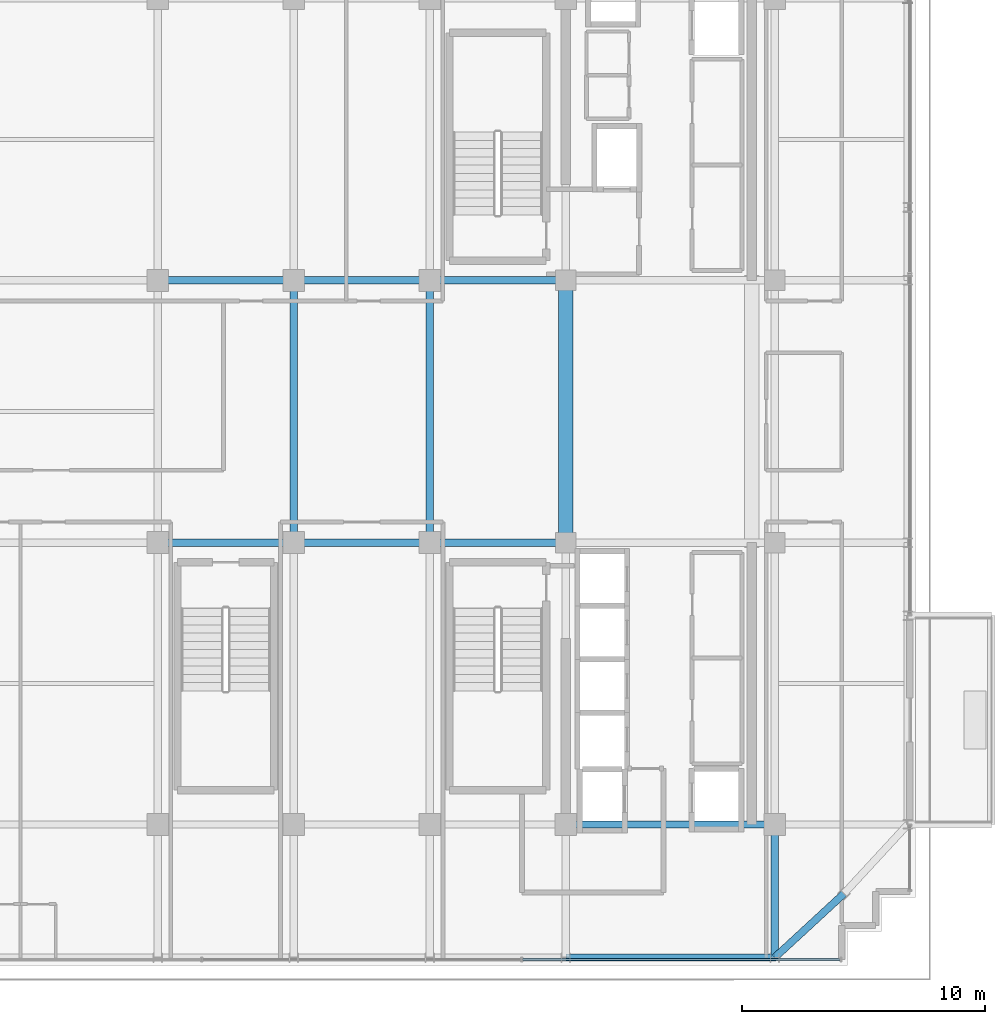
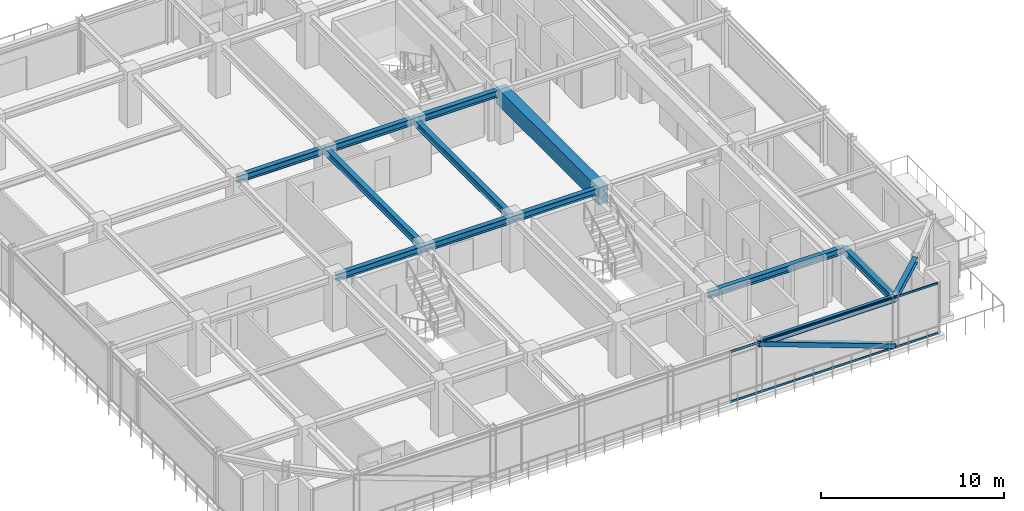
# One storey, part 11 of 32: 13 beams, 3 members, 1 element without a shape of its own.
"""IFC4 building model written with IfcOpenShell, lengths in metres."""

from ifc_helpers import new_model, si_unit, direction, frame, origin, origin_2d, place, context, subcontext, project, spatial, rectangle, hollow_rectangle, i_section, extrude, source, transform, mapped, material, material_profile, profile_set, type_object, element, aggregate, save


model = new_model("IFC4")

# Units and contexts
model_context = context("Model", 3, precision=1e-05, world=origin(), true_north=direction((0.0, 1.0)))
body_context = subcontext(model_context, "Body", "Model", "MODEL_VIEW")
ifc_project = project(units=[si_unit("LENGTHUNIT", "METRE"), si_unit("AREAUNIT", "SQUARE_METRE"), si_unit("VOLUMEUNIT", "CUBIC_METRE"), si_unit("PLANEANGLEUNIT", "RADIAN"), si_unit("MASSUNIT", "GRAM", prefix="KILO")], contexts=[model_context])

# Site, building, storey
site_placement = place(None, origin())
site = spatial("IfcSite", under=ifc_project, at=site_placement, CompositionType="ELEMENT")
building_placement = place(site_placement, origin())
building = spatial("IfcBuilding", under=site, at=building_placement, Name="Nahalor Promenade Grand Hotel", CompositionType="ELEMENT")
storey_placement = place(building_placement, frame((0.0, 0.0, 266.300048828125)))
storey = spatial("IfcBuildingStorey", under=building, at=storey_placement, Name="L68", CompositionType="ELEMENT", Elevation=266.300048828125)

# Beams
ifc_material_1 = material(Name="Concrete B-60 (C50/60)", Category="concrete")
ifc_material_profile_1 = material_profile(ifc_material_1, rectangle(XDim=0.6, YDim=1.1, at=origin_2d()), Name="RC 600x1100")
ifc_profile_set_1 = profile_set([ifc_material_profile_1], Name="Concrete B-60 (C50/60)")
beam_type_1 = type_object("IfcBeamType", Name="Beam-Lintel-RC1100", PredefinedType="LINTEL", material=ifc_profile_set_1)
shared_shape_1 = source(origin(), body_context, "Body", "SweptSolid", [
    extrude(rectangle(XDim=0.6, YDim=1.1, at=origin_2d()), origin(), (0.0, 0.0, 1.0), 11.2001953125),
])
beam_1_placement = place(storey_placement, frame((8.39990234375, -5.60009765625, 2.89990234375), z_axis=(0.0, 1.0, 0.0), x_axis=(-1.0, 0.0, 0.0)))
element("IfcBeam", 1, at=beam_1_placement, inside=storey, type_object=beam_type_1, Name="BM-L68-LINT-W", PredefinedType="LINTEL", context=body_context, shape_type="MappedRepresentation", body=[
    mapped(shared_shape_1, transform((0.0, 0.0, 0.0), scale=1.0)),
])
ifc_material_2 = material(Name="Steel S355JR", Category="steel")
ifc_material_profile_2 = material_profile(ifc_material_2, i_section(OverallWidth=0.3, OverallDepth=0.45, WebThickness=0.014, FlangeThickness=0.026, at=origin_2d()), Name="HEB 450")
ifc_profile_set_2 = profile_set([ifc_material_profile_2], Name="Steel S355JR")
beam_type_2 = type_object("IfcBeamType", Name="Beam-Girder-HEB450", PredefinedType="BEAM", material=ifc_profile_set_2)
shared_shape_2 = source(origin(), body_context, "Body", "SweptSolid", [
    extrude(i_section(OverallWidth=0.3, OverallDepth=0.45, WebThickness=0.014, FlangeThickness=0.026, at=origin_2d()), origin(), (0.0, 0.0, 1.0), 8.60009765625),
])
beam_2_placement = place(storey_placement, frame((8.39990234375, -17.0, 3.224853515625), z_axis=(1.0, 0.0, 0.0), x_axis=(0.0, 1.0, 0.0)))
element("IfcBeam", 2, at=beam_2_placement, inside=storey, type_object=beam_type_2, Name="BM-L68-GX-0-5", PredefinedType="BEAM", context=body_context, shape_type="MappedRepresentation", body=[
    mapped(shared_shape_2, transform((0.0, 0.0, 0.0), scale=1.0)),
])
shared_shape_3 = source(origin(), body_context, "Body", "SweptSolid", [
    extrude(i_section(OverallWidth=0.3, OverallDepth=0.45, WebThickness=0.014, FlangeThickness=0.026, at=origin_2d()), origin(), (0.0, 0.0, 1.0), 5.599853515625),
])
for number, where, z_axis, x_axis, name in (
    (3, (-8.39990234375, -5.39990234375, 3.224853515625), (1.0, 0.0, 0.0), (0.0, 1.0, 0.0), "BM-L68-GX-1-2"),
    (4, (2.800048828125, -5.39990234375, 3.224853515625), (1.0, 0.0, 0.0), (0.0, 1.0, 0.0), "BM-L68-GX-1-4"),
    (5, (-8.39990234375, 5.39990234375, 3.224853515625), (1.0, 0.0, 0.0), (0.0, 1.0, 0.0), "BM-L68-GX-2-2"),
    (6, (2.800048828125, 5.39990234375, 3.224853515625), (1.0, 0.0, 0.0), (0.0, 1.0, 0.0), "BM-L68-GX-2-4"),
):
    element("IfcBeam", number, at=place(storey_placement, frame(where, z_axis=z_axis, x_axis=x_axis)), inside=storey, type_object=beam_type_2, Name=name, PredefinedType="BEAM", context=body_context, shape_type="MappedRepresentation", body=[
        mapped(shared_shape_3, transform((0.0, 0.0, 0.0), scale=1.0)),
    ])
shared_shape_4 = source(origin(), body_context, "Body", "SweptSolid", [
    extrude(i_section(OverallWidth=0.3, OverallDepth=0.45, WebThickness=0.014, FlangeThickness=0.026, at=origin_2d()), origin(), (0.0, 0.0, 1.0), 5.60009765625),
])
for number, where, z_axis, x_axis, name in (
    (7, (-2.800048828125, -5.39990234375, 3.224853515625), (1.0, 0.0, 0.0), (0.0, 1.0, 0.0), "BM-L68-GX-1-3"),
    (8, (-2.800048828125, 5.39990234375, 3.224853515625), (1.0, 0.0, 0.0), (0.0, 1.0, 0.0), "BM-L68-GX-2-3"),
):
    element("IfcBeam", number, at=place(storey_placement, frame(where, z_axis=z_axis, x_axis=x_axis)), inside=storey, type_object=beam_type_2, Name=name, PredefinedType="BEAM", context=body_context, shape_type="MappedRepresentation", body=[
        mapped(shared_shape_4, transform((0.0, 0.0, 0.0), scale=1.0)),
    ])
shared_shape_5 = source(origin(), body_context, "Body", "SweptSolid", [
    extrude(i_section(OverallWidth=0.3, OverallDepth=0.45, WebThickness=0.014, FlangeThickness=0.026, at=origin_2d()), origin(), (0.0, 0.0, 1.0), 10.7998046875),
])
for number, where, z_axis, x_axis, name in (
    (9, (-2.800048828125, -5.39990234375, 3.224853515625), (0.0, 1.0, 0.0), (-1.0, 0.0, 0.0), "BM-L68-GY-2-2"),
    (10, (2.800048828125, -5.39990234375, 3.224853515625), (0.0, 1.0, 0.0), (-1.0, 0.0, 0.0), "BM-L68-GY-3-2"),
):
    element("IfcBeam", number, at=place(storey_placement, frame(where, z_axis=z_axis, x_axis=x_axis)), inside=storey, type_object=beam_type_2, Name=name, PredefinedType="BEAM", context=body_context, shape_type="MappedRepresentation", body=[
        mapped(shared_shape_5, transform((0.0, 0.0, 0.0), scale=1.0)),
    ])
shared_shape_6 = source(origin(), body_context, "Body", "SweptSolid", [
    extrude(i_section(OverallWidth=0.3, OverallDepth=0.45, WebThickness=0.014, FlangeThickness=0.026, at=origin_2d()), origin(), (0.0, 0.0, 1.0), 5.47998046875),
])
beam_3_placement = place(storey_placement, frame((17.0, -22.47998046875, 3.224853515625), z_axis=(0.0, 1.0, 0.0), x_axis=(-1.0, 0.0, 0.0)))
element("IfcBeam", 11, at=beam_3_placement, inside=storey, type_object=beam_type_2, Name="BM-L68-GY-5-0", PredefinedType="BEAM", context=body_context, shape_type="MappedRepresentation", body=[
    mapped(shared_shape_6, transform((0.0, 0.0, 0.0), scale=1.0)),
])
ifc_material_profile_3 = material_profile(ifc_material_2, i_section(OverallWidth=0.3, OverallDepth=0.36, WebThickness=0.0125, FlangeThickness=0.0225, at=origin_2d()), Name="HEB 360")
ifc_profile_set_3 = profile_set([ifc_material_profile_3], Name="Steel S355JR")
beam_type_3 = type_object("IfcBeamType", Name="Beam-Spandrel-HEB360", PredefinedType="SPANDREL", material=ifc_profile_set_3)
shared_shape_7 = source(origin(), body_context, "Body", "SweptSolid", [
    extrude(i_section(OverallWidth=0.3, OverallDepth=0.36, WebThickness=0.0125, FlangeThickness=0.0225, at=origin_2d()), origin(), (0.0, 0.0, 1.0), 8.60009765625),
])
beam_4_placement = place(storey_placement, frame((8.39990234375, -22.47998046875, 3.27001953125), z_axis=(1.0, 0.0, 0.0), x_axis=(0.0, 1.0, 0.0)))
element("IfcBeam", 12, at=beam_4_placement, inside=storey, type_object=beam_type_3, Name="BM-L68-SP-S-4", PredefinedType="SPANDREL", context=body_context, shape_type="MappedRepresentation", body=[
    mapped(shared_shape_7, transform((0.0, 0.0, 0.0), scale=1.0)),
])
shared_shape_8 = source(origin(), body_context, "Body", "SweptSolid", [
    extrude(i_section(OverallWidth=0.3, OverallDepth=0.36, WebThickness=0.0125, FlangeThickness=0.0225, at=origin_2d()), origin(), (0.0, 0.0, 1.0), 3.878173828125),
])
beam_5_placement = place(storey_placement, frame((17.0, -22.47998046875, 3.27001953125), z_axis=(0.73492893846, 0.678144125843, 0.0), x_axis=(-0.678144125843, 0.73492893846, 0.0)))
element("IfcBeam", 13, at=beam_5_placement, inside=storey, type_object=beam_type_3, Name="BM-L68-SPC-SE-1", PredefinedType="SPANDREL", context=body_context, shape_type="MappedRepresentation", body=[
    mapped(shared_shape_8, transform((0.0, 0.0, 0.0), scale=1.0)),
])

# Member
ifc_material_profile_4 = material_profile(ifc_material_2, hollow_rectangle(XDim=0.3, YDim=0.3, WallThickness=0.016, at=origin_2d()), Name="SHS 300x300x16")
ifc_profile_set_4 = profile_set([ifc_material_profile_4], Name="Steel S355JR")
member_type_1 = type_object("IfcMemberType", Name="Mem-CrownBrace-SHS300", PredefinedType="BRACE", material=ifc_profile_set_4)
shared_shape_9 = source(origin(), body_context, "Body", "SweptSolid", [
    extrude(hollow_rectangle(XDim=0.3, YDim=0.3, WallThickness=0.016, at=origin_2d()), origin(), (0.0, 0.0, 1.0), 9.158935546875),
])
member_1_placement = place(storey_placement, frame((17.0, -22.47998046875, 0.14990234375), z_axis=(-0.938989990654, 0.0, 0.343944468558), x_axis=(0.0, -1.0, 0.0)))
element("IfcMember", 14, at=member_1_placement, inside=storey, type_object=member_type_1, Name="EXO-L68-S-1", PredefinedType="BRACE", context=body_context, shape_type="MappedRepresentation", body=[
    mapped(shared_shape_9, transform((0.0, 0.0, 0.0), scale=1.0)),
])

# Curtain wall, members
ifc_material_3 = material(Name="Anodised Bronze Aluminium EN AW-6063 T6", Category="aluminium")
curtain_wall_type = type_object("IfcCurtainWallType", Name="CW2 Typical Hotel Flush Bronze Unitised Curtain Wall", PredefinedType="USERDEFINED", material=ifc_material_3)
curtain_wall_placement = place(storey_placement, origin())
curtain_wall = element("IfcCurtainWall", 15, at=curtain_wall_placement, inside=storey, type_object=curtain_wall_type, Name="L68 Curtain Wall CW-L68-S-1", ObjectType="UNITISED_CURTAIN_WALL", PredefinedType="USERDEFINED")
ifc_material_profile_5 = material_profile(ifc_material_3, hollow_rectangle(XDim=0.065, YDim=0.13, WallThickness=0.004, at=origin_2d()), Name="CWT 65x130x4")
ifc_profile_set_5 = profile_set([ifc_material_profile_5], Name="Anodised Bronze Aluminium EN AW-6063 T6")
member_type_2 = type_object("IfcMemberType", Name="CWT2 Typical Bronze Transom 65x130", PredefinedType="USERDEFINED", material=ifc_profile_set_5)
shared_shape_10 = source(origin(), body_context, "Body", "SweptSolid", [
    extrude(hollow_rectangle(XDim=0.065, YDim=0.13, WallThickness=0.004, at=origin_2d()), origin(), (0.0, 0.0, 1.0), 13.075927734375),
])
member_2_placement = place(storey_placement, frame((6.619140625, -22.56005859375, 0.06494140625), z_axis=(1.0, 0.0, 0.0), x_axis=(0.0, 1.0, 0.0)))
member_2 = element("IfcMember", 16, at=member_2_placement, type_object=member_type_2, Name="CW-L68-S-1 Transom 2-0", ObjectType="TRANSOM", PredefinedType="USERDEFINED", context=body_context, shape_type="MappedRepresentation", body=[
    mapped(shared_shape_10, transform((0.0, 0.0, 0.0), scale=1.0)),
])
member_3_placement = place(storey_placement, frame((6.619140625, -22.56005859375, 3.385009765625), z_axis=(1.0, 0.0, 0.0), x_axis=(0.0, 1.0, 0.0)))
member_3 = element("IfcMember", 17, at=member_3_placement, type_object=member_type_2, Name="CW-L68-S-1 Transom 2-1", ObjectType="TRANSOM", PredefinedType="USERDEFINED", context=body_context, shape_type="MappedRepresentation", body=[
    mapped(shared_shape_10, transform((0.0, 0.0, 0.0), scale=1.0)),
])
aggregate(curtain_wall, [member_2, member_3])

save(model, "model.ifc")
